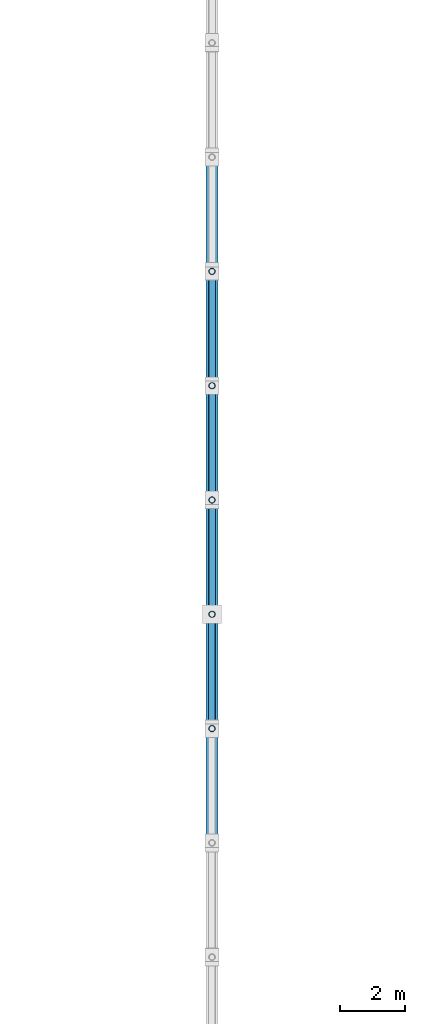
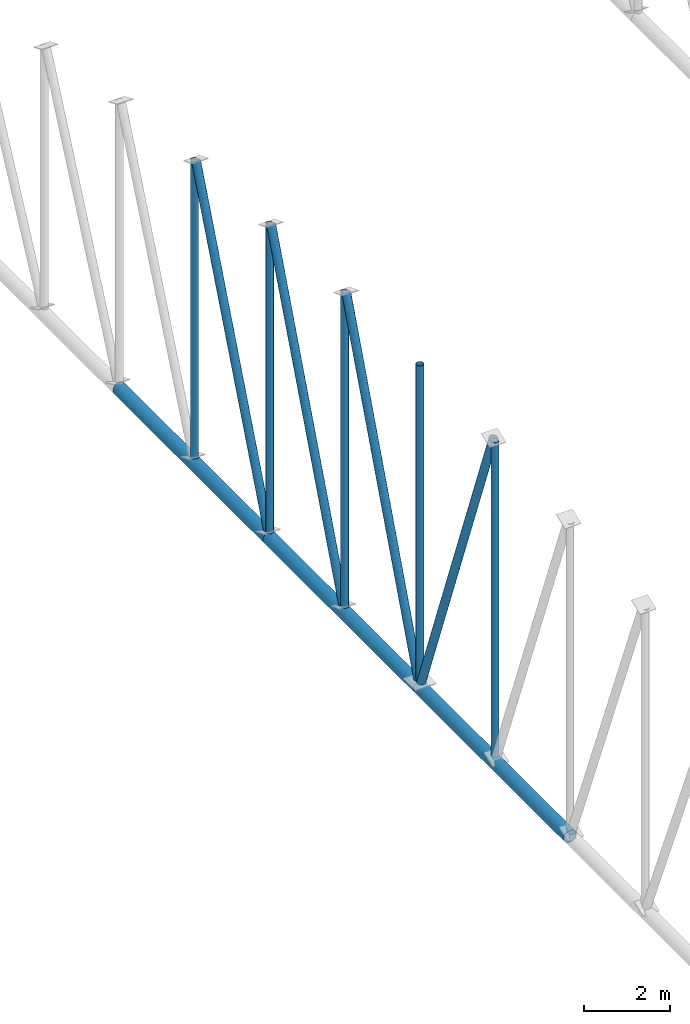
# One storey, part 72 of 196: 12 members.
"""IFC4 building model written with IfcOpenShell, lengths in metres."""

from ifc_helpers import new_model, si_unit, direction, frame, origin, origin_2d, place, context, subcontext, project, spatial, hollow_circle, extrude, material, material_profile, profile_set, type_object, element, save


model = new_model("IFC4")

# Units and contexts
model_context = context("Model", 3, precision=1e-05, world=origin(), true_north=direction((0.0, 1.0)))
body_context = subcontext(model_context, "Body", "Model", "MODEL_VIEW")
ifc_project = project(units=[si_unit("LENGTHUNIT", "METRE"), si_unit("AREAUNIT", "SQUARE_METRE"), si_unit("VOLUMEUNIT", "CUBIC_METRE"), si_unit("PLANEANGLEUNIT", "RADIAN"), si_unit("MASSUNIT", "GRAM", prefix="KILO")], contexts=[model_context])

# Site, building, storey
site_placement = place(None, origin())
site = spatial("IfcSite", under=ifc_project, at=site_placement, CompositionType="ELEMENT")
building_placement = place(site_placement, origin())
building = spatial("IfcBuilding", under=site, at=building_placement, Name="Okhra Congress Centre", CompositionType="ELEMENT")
storey_placement = place(building_placement, frame((0.0, 0.0, 12.0)))
storey = spatial("IfcBuildingStorey", under=building, at=storey_placement, Name="L02", CompositionType="ELEMENT", Elevation=12.0)

# Members
ifc_material = material(Name="Steel S355J2H", Category="steel")
ifc_material_profile_1 = material_profile(ifc_material, hollow_circle(Radius=0.096923828125, WallThickness=0.008056640625, at=origin_2d()), Name="CHS 193.7x8.0")
ifc_profile_set_1 = profile_set([ifc_material_profile_1], Name="Steel S355J2H")
member_type_1 = type_object("IfcMemberType", Name="CHS 193.7x8.0", PredefinedType="POST", material=ifc_profile_set_1)
member_1_placement = place(storey_placement, frame((100.0, 170.5, 1.577880859375), z_axis=(0.0, 0.0, 1.0), x_axis=(1.0, 0.0, 0.0)))
element("IfcMember", 1, at=member_1_placement, inside=storey, type_object=member_type_1, Name="EH.MEM.L02.T5-VER-11", PredefinedType="POST", context=body_context, shape_type="SweptSolid", body=[
    extrude(hollow_circle(Radius=0.096923828125, WallThickness=0.008056640625, at=origin_2d()), origin(), (0.0, 0.0, 1.0), 8.95654296875),
])
member_2_placement = place(storey_placement, frame((100.0, 174.0, 1.577880859375), z_axis=(0.0, 0.0, 1.0), x_axis=(1.0, 0.0, 0.0)))
element("IfcMember", 2, at=member_2_placement, inside=storey, type_object=member_type_1, Name="EH.MEM.L02.T5-VER-12", PredefinedType="POST", context=body_context, shape_type="SweptSolid", body=[
    extrude(hollow_circle(Radius=0.096923828125, WallThickness=0.008056640625, at=origin_2d()), origin(), (0.0, 0.0, 1.0), 9.018798828125),
])
member_3_placement = place(storey_placement, frame((100.0, 177.5, 1.577880859375), z_axis=(0.0, 0.0, 1.0), x_axis=(1.0, 0.0, 0.0)))
element("IfcMember", 3, at=member_3_placement, inside=storey, type_object=member_type_1, Name="EH.MEM.L02.T5-VER-13", PredefinedType="POST", context=body_context, shape_type="SweptSolid", body=[
    extrude(hollow_circle(Radius=0.096923828125, WallThickness=0.008056640625, at=origin_2d()), origin(), (0.0, 0.0, 1.0), 8.95654296875),
])
member_4_placement = place(storey_placement, frame((100.0, 181.0, 1.577880859375), z_axis=(0.0, 0.0, 1.0), x_axis=(1.0, 0.0, 0.0)))
element("IfcMember", 4, at=member_4_placement, inside=storey, type_object=member_type_1, Name="EH.MEM.L02.T5-VER-14", PredefinedType="POST", context=body_context, shape_type="SweptSolid", body=[
    extrude(hollow_circle(Radius=0.096923828125, WallThickness=0.008056640625, at=origin_2d()), origin(), (0.0, 0.0, 1.0), 8.76953125),
])
member_5_placement = place(storey_placement, frame((100.0, 184.5, 1.577880859375), z_axis=(0.0, 0.0, 1.0), x_axis=(1.0, 0.0, 0.0)))
element("IfcMember", 5, at=member_5_placement, inside=storey, type_object=member_type_1, Name="EH.MEM.L02.T5-VER-15", PredefinedType="POST", context=body_context, shape_type="SweptSolid", body=[
    extrude(hollow_circle(Radius=0.096923828125, WallThickness=0.008056640625, at=origin_2d()), origin(), (0.0, 0.0, 1.0), 8.456787109375),
])
ifc_material_profile_2 = material_profile(ifc_material, hollow_circle(Radius=0.109619140625, WallThickness=0.010009765625, at=origin_2d()), Name="CHS 219.1x10.0")
ifc_profile_set_2 = profile_set([ifc_material_profile_2], Name="Steel S355J2H")
member_type_2 = type_object("IfcMemberType", Name="CHS 219.1x10.0", PredefinedType="BRACE", material=ifc_profile_set_2)
for number, where, z_axis, x_axis, name in (
    (6, (100.0, 170.568359375, 10.55517578125), (0.0, 0.35098669327, -0.936380446799), (-1.0, 0.0, 0.0), "EH.MEM.L02.T5-DIA-11"),
    (7, (100.0, 177.431640625, 10.55517578125), (0.0, -0.35098669327, -0.936380446799), (1.0, 0.0, 0.0), "EH.MEM.L02.T5-DIA-12"),
):
    element("IfcMember", number, at=place(storey_placement, frame(where, z_axis=z_axis, x_axis=x_axis)), inside=storey, type_object=member_type_2, Name=name, PredefinedType="BRACE", context=body_context, shape_type="SweptSolid", body=[
        extrude(hollow_circle(Radius=0.109619140625, WallThickness=0.010009765625, at=origin_2d()), origin(), (0.0, 0.0, 1.0), 9.587158203125),
    ])
member_6_placement = place(storey_placement, frame((100.0, 180.930908203125, 10.37060546875), z_axis=(0.0, -0.357217988255, -0.934021043054), x_axis=(1.0, 0.0, 0.0)))
element("IfcMember", 8, at=member_6_placement, inside=storey, type_object=member_type_2, Name="EH.MEM.L02.T5-DIA-13", PredefinedType="BRACE", context=body_context, shape_type="SweptSolid", body=[
    extrude(hollow_circle(Radius=0.109619140625, WallThickness=0.010009765625, at=origin_2d()), origin(), (0.0, 0.0, 1.0), 9.413818359375),
])
member_7_placement = place(storey_placement, frame((100.0, 184.429443359375, 10.060546875), z_axis=(0.0, -0.368181952794, -0.929753757528), x_axis=(1.0, 0.0, 0.0)))
element("IfcMember", 9, at=member_7_placement, inside=storey, type_object=member_type_2, Name="EH.MEM.L02.T5-DIA-14", PredefinedType="BRACE", context=body_context, shape_type="SweptSolid", body=[
    extrude(hollow_circle(Radius=0.109619140625, WallThickness=0.010009765625, at=origin_2d()), origin(), (0.0, 0.0, 1.0), 9.12353515625),
])
ifc_material_profile_3 = material_profile(ifc_material, hollow_circle(Radius=0.177734375, WallThickness=0.02001953125, at=origin_2d()), Name="CHS 355.6x20.0")
ifc_profile_set_3 = profile_set([ifc_material_profile_3], Name="Steel S355J2H")
member_type_3 = type_object("IfcMemberType", Name="CHS 355.6x20.0", PredefinedType="CHORD", material=ifc_profile_set_3)
for number, where, z_axis, x_axis, name in (
    (10, (100.0, 167.0, 1.39990234375), (0.0, 1.0, 0.0), (-1.0, 0.0, 0.0), "EH.MEM.L02.T5-BOT-06"),
    (11, (100.0, 174.0, 1.39990234375), (0.0, 1.0, 0.0), (-1.0, 0.0, 0.0), "EH.MEM.L02.T5-BOT-07"),
    (12, (100.0, 181.0, 1.39990234375), (0.0, 1.0, 0.0), (-1.0, 0.0, 0.0), "EH.MEM.L02.T5-BOT-08"),
):
    element("IfcMember", number, at=place(storey_placement, frame(where, z_axis=z_axis, x_axis=x_axis)), inside=storey, type_object=member_type_3, Name=name, PredefinedType="CHORD", context=body_context, shape_type="SweptSolid", body=[
        extrude(hollow_circle(Radius=0.177734375, WallThickness=0.02001953125, at=origin_2d()), origin(), (0.0, 0.0, 1.0), 7.0),
    ])

save(model, "model.ifc")
